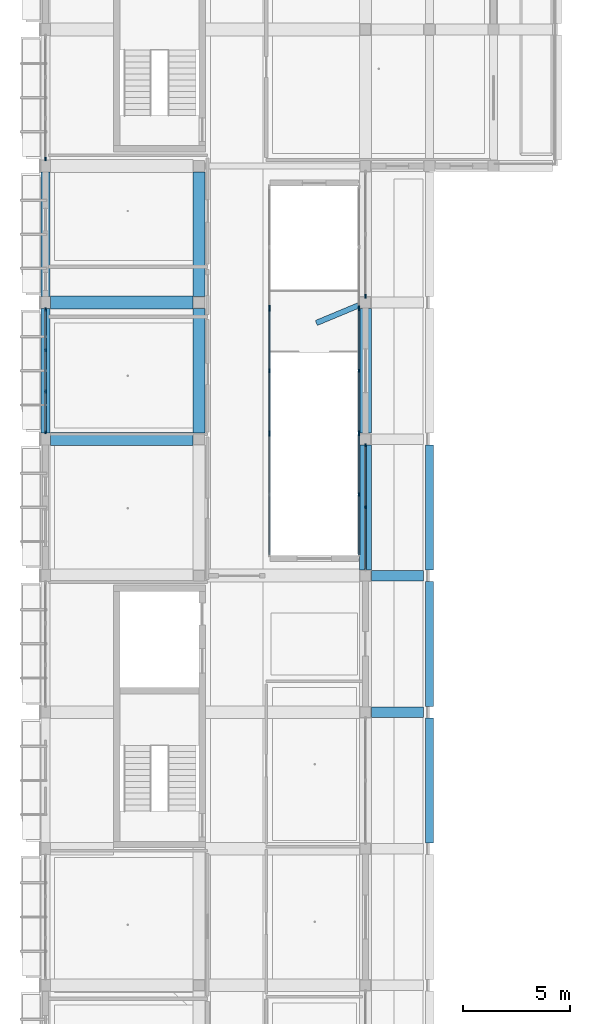
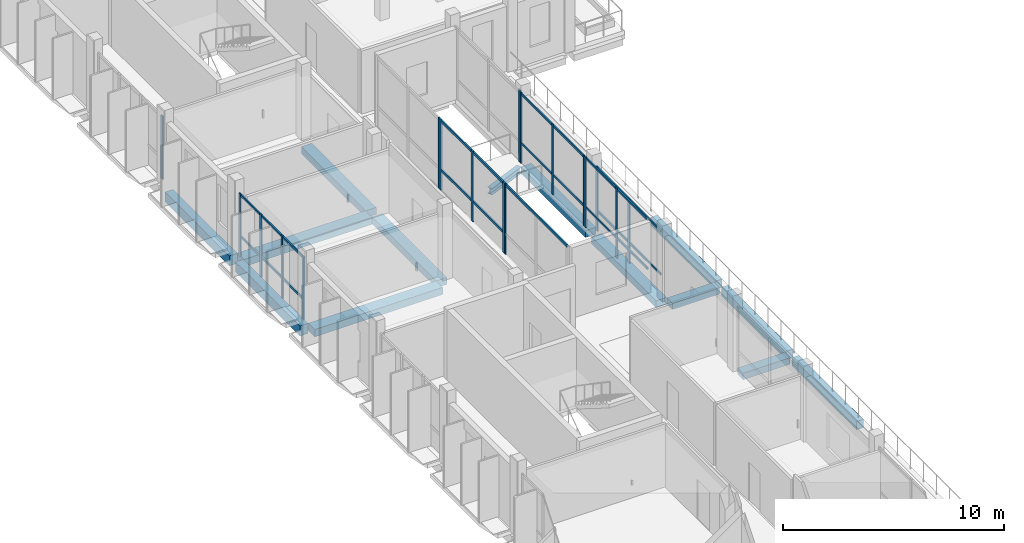
# One storey, part 8 of 85: 30 members, 14 beams, 10 elements without a shape of their own.
"""IFC4 building model written with IfcOpenShell, lengths in metres."""

from ifc_helpers import new_model, si_unit, derived_unit, direction, frame, origin, origin_2d, place, context, subcontext, project, spatial, rectangle, i_section, extrude, material, material_profile, profile_set, type_object, element, aggregate, save


model = new_model("IFC4")

# Units and contexts
model_context = context("Model", 3, precision=1e-05, world=origin(), true_north=direction((0.0, 1.0)))
body_context = subcontext(model_context, "Body", "Model", "MODEL_VIEW")
ifc_project = project(units=[si_unit("LENGTHUNIT", "METRE"), si_unit("AREAUNIT", "SQUARE_METRE"), si_unit("VOLUMEUNIT", "CUBIC_METRE"), si_unit("PLANEANGLEUNIT", "RADIAN"), si_unit("MASSUNIT", "GRAM", prefix="KILO"), derived_unit("THERMALTRANSMITTANCEUNIT", [(si_unit("POWERUNIT", "WATT"), 1), (si_unit("LENGTHUNIT", "METRE"), -2), (si_unit("THERMODYNAMICTEMPERATUREUNIT", "KELVIN"), -1)])], contexts=[model_context])

# Site, building, storey
site_placement = place(None, origin())
site = spatial("IfcSite", under=ifc_project, at=site_placement, CompositionType="ELEMENT")
building_placement = place(site_placement, origin())
building = spatial("IfcBuilding", under=site, at=building_placement, Name="Braskholm Square Health Centre", CompositionType="ELEMENT")
storey_placement = place(building_placement, frame((0.0, 0.0, 9.300048828125)))
storey = spatial("IfcBuildingStorey", under=building, at=storey_placement, Name="L03", CompositionType="ELEMENT", Elevation=9.300048828125)

# Curtain wall, members
ifc_material_1 = material(Name="Low-E triple insulating glass (VLT 0.64)", Category="glass")
curtain_wall_type_1 = type_object("IfcCurtainWallType", Name="UnitisedCurtainWall6200x3650", PredefinedType="NOTDEFINED", material=ifc_material_1)
curtain_wall_1_placement = place(storey_placement, origin())
curtain_wall_1 = element("IfcCurtainWall", 1, at=curtain_wall_1_placement, inside=storey, type_object=curtain_wall_type_1, Name="West Outer unitised curtain wall CW-L03-0016", PredefinedType="NOTDEFINED")
ifc_material_2 = material(Name="Architectural bronze anodised aluminium", Category="aluminium")
ifc_material_profile_1 = material_profile(ifc_material_2, rectangle(XDim=0.06494140625, YDim=0.14990234375, at=origin_2d()), Name="ALU-65X150")
ifc_profile_set_1 = profile_set([ifc_material_profile_1], Name="Architectural bronze anodised aluminium")
member_type_1 = type_object("IfcMemberType", Name="CurtainWallMullion65x150", PredefinedType="MULLION", material=ifc_profile_set_1)
member_1_placement = place(storey_placement, frame((4.199951171875, 42.275146484375, 0.0), z_axis=(0.0, 0.0, 1.0), x_axis=(1.0, 0.0, 0.0)))
member_1 = element("IfcMember", 2, at=member_1_placement, type_object=member_type_1, Name="CW-L03-0016 vertical mullion 1", PredefinedType="MULLION", context=body_context, shape_type="SweptSolid", body=[
    extrude(rectangle(XDim=0.06494140625, YDim=0.14990234375, at=origin_2d()), origin(), (0.0, 0.0, 1.0), 3.47998046875),
])
member_2_placement = place(storey_placement, frame((4.199951171875, 40.3701171875, 0.0), z_axis=(0.0, 0.0, 1.0), x_axis=(1.0, 0.0, 0.0)))
member_2 = element("IfcMember", 3, at=member_2_placement, type_object=member_type_1, Name="CW-L03-0016 vertical mullion 2", PredefinedType="MULLION", context=body_context, shape_type="SweptSolid", body=[
    extrude(rectangle(XDim=0.06494140625, YDim=0.14990234375, at=origin_2d()), origin(), (0.0, 0.0, 1.0), 3.47998046875),
])
member_3_placement = place(storey_placement, frame((4.199951171875, 38.429931640625, 0.0), z_axis=(0.0, 0.0, 1.0), x_axis=(1.0, 0.0, 0.0)))
member_3 = element("IfcMember", 4, at=member_3_placement, type_object=member_type_1, Name="CW-L03-0016 vertical mullion 3", PredefinedType="MULLION", context=body_context, shape_type="SweptSolid", body=[
    extrude(rectangle(XDim=0.06494140625, YDim=0.14990234375, at=origin_2d()), origin(), (0.0, 0.0, 1.0), 3.47998046875),
])
member_4_placement = place(storey_placement, frame((4.199951171875, 36.52490234375, 0.0), z_axis=(0.0, 0.0, 1.0), x_axis=(1.0, 0.0, 0.0)))
member_4 = element("IfcMember", 5, at=member_4_placement, type_object=member_type_1, Name="CW-L03-0016 vertical mullion 4", PredefinedType="MULLION", context=body_context, shape_type="SweptSolid", body=[
    extrude(rectangle(XDim=0.06494140625, YDim=0.14990234375, at=origin_2d()), origin(), (0.0, 0.0, 1.0), 3.47998046875),
])

curtain_wall_2_placement = place(storey_placement, origin())
curtain_wall_2 = element("IfcCurtainWall", 6, at=curtain_wall_2_placement, inside=storey, type_object=curtain_wall_type_1, Name="West Valley unitised curtain wall CW-L03-0092", PredefinedType="NOTDEFINED")
member_5_placement = place(storey_placement, frame((19.199951171875, 33.0, 0.0), z_axis=(0.0, 0.0, 1.0), x_axis=(1.0, 0.0, 0.0)))
member_5 = element("IfcMember", 7, at=member_5_placement, type_object=member_type_1, Name="CW-L03-0092 vertical mullion 2", PredefinedType="MULLION", context=body_context, shape_type="SweptSolid", body=[
    extrude(rectangle(XDim=0.06494140625, YDim=0.14990234375, at=origin_2d()), origin(), (0.0, 0.0, 1.0), 3.570068359375),
])
member_6_placement = place(storey_placement, frame((19.199951171875, 35.90478515625, 0.0), z_axis=(0.0, 0.0, 1.0), x_axis=(1.0, 0.0, 0.0)))
member_6 = element("IfcMember", 8, at=member_6_placement, type_object=member_type_1, Name="CW-L03-0092 vertical mullion 3", PredefinedType="MULLION", context=body_context, shape_type="SweptSolid", body=[
    extrude(rectangle(XDim=0.06494140625, YDim=0.14990234375, at=origin_2d()), origin(), (0.0, 0.0, 1.0), 3.570068359375),
])

curtain_wall_type_2 = type_object("IfcCurtainWallType", Name="UnitisedCurtainWall5400x3800", PredefinedType="NOTDEFINED", material=ifc_material_1)
curtain_wall_3_placement = place(storey_placement, origin())
curtain_wall_3 = element("IfcCurtainWall", 9, at=curtain_wall_3_placement, inside=storey, type_object=curtain_wall_type_2, Name="WC1 Court E unitised curtain wall CW-L03-0262", PredefinedType="NOTDEFINED")
member_7_placement = place(storey_placement, frame((18.89990234375, 36.427734375, 0.0), z_axis=(0.0, 0.0, 1.0), x_axis=(1.0, 0.0, 0.0)))
member_7 = element("IfcMember", 10, at=member_7_placement, type_object=member_type_1, Name="CW-L03-0262 vertical mullion 1", PredefinedType="MULLION", context=body_context, shape_type="SweptSolid", body=[
    extrude(rectangle(XDim=0.06494140625, YDim=0.14990234375, at=origin_2d()), origin(), (0.0, 0.0, 1.0), 3.89990234375),
])
member_8_placement = place(storey_placement, frame((18.89990234375, 33.60107421875, 0.0), z_axis=(0.0, 0.0, 1.0), x_axis=(1.0, 0.0, 0.0)))
member_8 = element("IfcMember", 11, at=member_8_placement, type_object=member_type_1, Name="CW-L03-0262 vertical mullion 2", PredefinedType="MULLION", context=body_context, shape_type="SweptSolid", body=[
    extrude(rectangle(XDim=0.06494140625, YDim=0.14990234375, at=origin_2d()), origin(), (0.0, 0.0, 1.0), 3.89990234375),
])

curtain_wall_type_3 = type_object("IfcCurtainWallType", Name="UnitisedCurtainWall6200x3800", PredefinedType="NOTDEFINED", material=ifc_material_1)
curtain_wall_4_placement = place(storey_placement, origin())
curtain_wall_4 = element("IfcCurtainWall", 12, at=curtain_wall_4_placement, inside=storey, type_object=curtain_wall_type_3, Name="WC1 Court E unitised curtain wall CW-L03-0264", PredefinedType="NOTDEFINED")
member_9_placement = place(storey_placement, frame((18.89990234375, 42.29296875, 0.0), z_axis=(0.0, 0.0, 1.0), x_axis=(1.0, 0.0, 0.0)))
member_9 = element("IfcMember", 13, at=member_9_placement, type_object=member_type_1, Name="CW-L03-0264 vertical mullion 1", PredefinedType="MULLION", context=body_context, shape_type="SweptSolid", body=[
    extrude(rectangle(XDim=0.06494140625, YDim=0.14990234375, at=origin_2d()), origin(), (0.0, 0.0, 1.0), 3.89990234375),
])
member_10_placement = place(storey_placement, frame((18.89990234375, 39.39990234375, 0.0), z_axis=(0.0, 0.0, 1.0), x_axis=(1.0, 0.0, 0.0)))
member_10 = element("IfcMember", 14, at=member_10_placement, type_object=member_type_1, Name="CW-L03-0264 vertical mullion 2", PredefinedType="MULLION", context=body_context, shape_type="SweptSolid", body=[
    extrude(rectangle(XDim=0.06494140625, YDim=0.14990234375, at=origin_2d()), origin(), (0.0, 0.0, 1.0), 3.89990234375),
])
member_11_placement = place(storey_placement, frame((18.89990234375, 36.507080078125, 0.0), z_axis=(0.0, 0.0, 1.0), x_axis=(1.0, 0.0, 0.0)))
member_11 = element("IfcMember", 15, at=member_11_placement, type_object=member_type_1, Name="CW-L03-0264 vertical mullion 3", PredefinedType="MULLION", context=body_context, shape_type="SweptSolid", body=[
    extrude(rectangle(XDim=0.06494140625, YDim=0.14990234375, at=origin_2d()), origin(), (0.0, 0.0, 1.0), 3.89990234375),
])

# Curtain wall, member
curtain_wall_5_placement = place(storey_placement, origin())
curtain_wall_5 = element("IfcCurtainWall", 16, at=curtain_wall_5_placement, inside=storey, type_object=curtain_wall_type_2, Name="WC1 Court E unitised curtain wall CW-L03-0266", PredefinedType="NOTDEFINED")
member_12_placement = place(storey_placement, frame((18.89990234375, 42.372314453125, 0.0), z_axis=(0.0, 0.0, 1.0), x_axis=(1.0, 0.0, 0.0)))
member_12 = element("IfcMember", 17, at=member_12_placement, type_object=member_type_1, Name="CW-L03-0266 vertical mullion 3", PredefinedType="MULLION", context=body_context, shape_type="SweptSolid", body=[
    extrude(rectangle(XDim=0.06494140625, YDim=0.14990234375, at=origin_2d()), origin(), (0.0, 0.0, 1.0), 3.89990234375),
])
aggregate(curtain_wall_5, [member_12])

curtain_wall_6_placement = place(storey_placement, origin())
curtain_wall_6 = element("IfcCurtainWall", 18, at=curtain_wall_6_placement, inside=storey, type_object=curtain_wall_type_1, Name="West Outer unitised curtain wall CW-L03-0017", PredefinedType="NOTDEFINED")
ifc_material_profile_2 = material_profile(ifc_material_2, rectangle(XDim=0.074951171875, YDim=0.179931640625, at=origin_2d()), Name="ALU-75X180")
ifc_profile_set_2 = profile_set([ifc_material_profile_2], Name="Architectural bronze anodised aluminium")
member_type_2 = type_object("IfcMemberType", Name="CurtainWallMullion75x180", PredefinedType="MULLION", material=ifc_profile_set_2)
member_13_placement = place(storey_placement, frame((4.199951171875, 49.324951171875, 0.0), z_axis=(0.0, 0.0, 1.0), x_axis=(1.0, 0.0, 0.0)))
member_13 = element("IfcMember", 19, at=member_13_placement, type_object=member_type_2, Name="CW-L03-0017 vertical mullion 4", PredefinedType="MULLION", context=body_context, shape_type="SweptSolid", body=[
    extrude(rectangle(XDim=0.074951171875, YDim=0.179931640625, at=origin_2d()), origin(), (0.0, 0.0, 1.0), 3.47998046875),
])
aggregate(curtain_wall_6, [member_13])

curtain_wall_7_placement = place(storey_placement, origin())
curtain_wall_7 = element("IfcCurtainWall", 20, at=curtain_wall_7_placement, inside=storey, type_object=curtain_wall_type_1, Name="West Valley unitised curtain wall CW-L03-0093", PredefinedType="NOTDEFINED")
member_14_placement = place(storey_placement, frame((19.199951171875, 42.895263671875, 0.0), z_axis=(0.0, 0.0, 1.0), x_axis=(1.0, 0.0, 0.0)))
member_14 = element("IfcMember", 21, at=member_14_placement, type_object=member_type_2, Name="CW-L03-0093 vertical mullion 1", PredefinedType="MULLION", context=body_context, shape_type="SweptSolid", body=[
    extrude(rectangle(XDim=0.074951171875, YDim=0.179931640625, at=origin_2d()), origin(), (0.0, 0.0, 1.0), 3.570068359375),
])
aggregate(curtain_wall_7, [member_14])

curtain_wall_8_placement = place(storey_placement, origin())
curtain_wall_8 = element("IfcCurtainWall", 22, at=curtain_wall_8_placement, inside=storey, type_object=curtain_wall_type_2, Name="WC1 Court W unitised curtain wall CW-L03-0261", PredefinedType="NOTDEFINED")
member_15_placement = place(storey_placement, frame((14.699951171875, 36.427734375, 0.0), z_axis=(0.0, 0.0, 1.0), x_axis=(1.0, 0.0, 0.0)))
member_15 = element("IfcMember", 23, at=member_15_placement, type_object=member_type_2, Name="CW-L03-0261 vertical mullion 3", PredefinedType="MULLION", context=body_context, shape_type="SweptSolid", body=[
    extrude(rectangle(XDim=0.074951171875, YDim=0.179931640625, at=origin_2d()), origin(), (0.0, 0.0, 1.0), 3.89990234375),
])

# Curtain wall, members
curtain_wall_9_placement = place(storey_placement, origin())
curtain_wall_9 = element("IfcCurtainWall", 24, at=curtain_wall_9_placement, inside=storey, type_object=curtain_wall_type_3, Name="WC1 Court W unitised curtain wall CW-L03-0263", PredefinedType="NOTDEFINED")
member_16_placement = place(storey_placement, frame((14.699951171875, 36.507080078125, 0.0), z_axis=(0.0, 0.0, 1.0), x_axis=(1.0, 0.0, 0.0)))
member_16 = element("IfcMember", 25, at=member_16_placement, type_object=member_type_2, Name="CW-L03-0263 vertical mullion 1", PredefinedType="MULLION", context=body_context, shape_type="SweptSolid", body=[
    extrude(rectangle(XDim=0.074951171875, YDim=0.179931640625, at=origin_2d()), origin(), (0.0, 0.0, 1.0), 3.89990234375),
])
member_17_placement = place(storey_placement, frame((14.699951171875, 39.39990234375, 0.0), z_axis=(0.0, 0.0, 1.0), x_axis=(1.0, 0.0, 0.0)))
member_17 = element("IfcMember", 26, at=member_17_placement, type_object=member_type_2, Name="CW-L03-0263 vertical mullion 2", PredefinedType="MULLION", context=body_context, shape_type="SweptSolid", body=[
    extrude(rectangle(XDim=0.074951171875, YDim=0.179931640625, at=origin_2d()), origin(), (0.0, 0.0, 1.0), 3.89990234375),
])
member_18_placement = place(storey_placement, frame((14.699951171875, 42.29296875, 0.0), z_axis=(0.0, 0.0, 1.0), x_axis=(1.0, 0.0, 0.0)))
member_18 = element("IfcMember", 27, at=member_18_placement, type_object=member_type_2, Name="CW-L03-0263 vertical mullion 3", PredefinedType="MULLION", context=body_context, shape_type="SweptSolid", body=[
    extrude(rectangle(XDim=0.074951171875, YDim=0.179931640625, at=origin_2d()), origin(), (0.0, 0.0, 1.0), 3.89990234375),
])

# Curtain wall, member
curtain_wall_10_placement = place(storey_placement, origin())
curtain_wall_10 = element("IfcCurtainWall", 28, at=curtain_wall_10_placement, inside=storey, type_object=curtain_wall_type_2, Name="WC1 Court W unitised curtain wall CW-L03-0265", PredefinedType="NOTDEFINED")
member_19_placement = place(storey_placement, frame((14.699951171875, 42.372314453125, 0.0), z_axis=(0.0, 0.0, 1.0), x_axis=(1.0, 0.0, 0.0)))
member_19 = element("IfcMember", 29, at=member_19_placement, type_object=member_type_2, Name="CW-L03-0265 vertical mullion 1", PredefinedType="MULLION", context=body_context, shape_type="SweptSolid", body=[
    extrude(rectangle(XDim=0.074951171875, YDim=0.179931640625, at=origin_2d()), origin(), (0.0, 0.0, 1.0), 3.89990234375),
])
aggregate(curtain_wall_10, [member_19])

# Member
ifc_material_profile_3 = material_profile(ifc_material_2, rectangle(XDim=0.06494140625, YDim=0.1201171875, at=origin_2d()), Name="ALU-65X120")
ifc_profile_set_3 = profile_set([ifc_material_profile_3], Name="Architectural bronze anodised aluminium")
member_type_3 = type_object("IfcMemberType", Name="CurtainWallTransom65x120", PredefinedType="USERDEFINED", material=ifc_profile_set_3)
member_20_placement = place(storey_placement, frame((4.199951171875, 42.264892578125, 1.119873046875), z_axis=(0.0, -1.0, 0.0), x_axis=(1.0, 0.0, 0.0)))
member_20 = element("IfcMember", 30, at=member_20_placement, type_object=member_type_3, Name="CW-L03-0016 horizontal transom 1", ObjectType="TRANSOM", PredefinedType="USERDEFINED", context=body_context, shape_type="SweptSolid", body=[
    extrude(rectangle(XDim=0.06494140625, YDim=0.1201171875, at=origin_2d()), origin(), (0.0, 0.0, 1.0), 5.72998046875),
])

member_21_placement = place(storey_placement, frame((4.199951171875, 42.264892578125, 3.409912109375), z_axis=(0.0, -1.0, 0.0), x_axis=(1.0, 0.0, 0.0)))
member_21 = element("IfcMember", 31, at=member_21_placement, type_object=member_type_3, Name="CW-L03-0016 horizontal transom 2", ObjectType="TRANSOM", PredefinedType="USERDEFINED", context=body_context, shape_type="SweptSolid", body=[
    extrude(rectangle(XDim=0.06494140625, YDim=0.1201171875, at=origin_2d()), origin(), (0.0, 0.0, 1.0), 5.72998046875),
])

aggregate(curtain_wall_1, [member_1, member_2, member_3, member_4, member_20, member_21])

member_22_placement = place(storey_placement, frame((19.199951171875, 30.10498046875, 1.119873046875), z_axis=(0.0, 1.0, 0.0), x_axis=(-1.0, 0.0, 0.0)))
member_22 = element("IfcMember", 32, at=member_22_placement, type_object=member_type_3, Name="CW-L03-0092 horizontal transom 1", ObjectType="TRANSOM", PredefinedType="USERDEFINED", context=body_context, shape_type="SweptSolid", body=[
    extrude(rectangle(XDim=0.06494140625, YDim=0.1201171875, at=origin_2d()), origin(), (0.0, 0.0, 1.0), 5.7900390625),
])

member_23_placement = place(storey_placement, frame((19.199951171875, 30.10498046875, 3.5), z_axis=(0.0, 1.0, 0.0), x_axis=(-1.0, 0.0, 0.0)))
member_23 = element("IfcMember", 33, at=member_23_placement, type_object=member_type_3, Name="CW-L03-0092 horizontal transom 2", ObjectType="TRANSOM", PredefinedType="USERDEFINED", context=body_context, shape_type="SweptSolid", body=[
    extrude(rectangle(XDim=0.06494140625, YDim=0.1201171875, at=origin_2d()), origin(), (0.0, 0.0, 1.0), 5.7900390625),
])

aggregate(curtain_wall_2, [member_5, member_6, member_22, member_23])

member_24_placement = place(storey_placement, frame((18.89990234375, 36.4169921875, 1.119873046875), z_axis=(0.0, -1.0, 0.0), x_axis=(1.0, 0.0, 0.0)))
member_24 = element("IfcMember", 34, at=member_24_placement, type_object=member_type_3, Name="CW-L03-0262 horizontal transom 1", ObjectType="TRANSOM", PredefinedType="USERDEFINED", context=body_context, shape_type="SweptSolid", body=[
    extrude(rectangle(XDim=0.06494140625, YDim=0.1201171875, at=origin_2d()), origin(), (0.0, 0.0, 1.0), 5.632080078125),
])

member_25_placement = place(storey_placement, frame((18.89990234375, 36.4169921875, 3.829833984375), z_axis=(0.0, -1.0, 0.0), x_axis=(1.0, 0.0, 0.0)))
member_25 = element("IfcMember", 35, at=member_25_placement, type_object=member_type_3, Name="CW-L03-0262 horizontal transom 2", ObjectType="TRANSOM", PredefinedType="USERDEFINED", context=body_context, shape_type="SweptSolid", body=[
    extrude(rectangle(XDim=0.06494140625, YDim=0.1201171875, at=origin_2d()), origin(), (0.0, 0.0, 1.0), 5.632080078125),
])

aggregate(curtain_wall_3, [member_7, member_8, member_24, member_25])

member_26_placement = place(storey_placement, frame((18.89990234375, 42.282958984375, 1.119873046875), z_axis=(0.0, -1.0, 0.0), x_axis=(1.0, 0.0, 0.0)))
member_26 = element("IfcMember", 36, at=member_26_placement, type_object=member_type_3, Name="CW-L03-0264 horizontal transom 1", ObjectType="TRANSOM", PredefinedType="USERDEFINED", context=body_context, shape_type="SweptSolid", body=[
    extrude(rectangle(XDim=0.06494140625, YDim=0.1201171875, at=origin_2d()), origin(), (0.0, 0.0, 1.0), 5.765869140625),
])

member_27_placement = place(storey_placement, frame((18.89990234375, 42.282958984375, 3.829833984375), z_axis=(0.0, -1.0, 0.0), x_axis=(1.0, 0.0, 0.0)))
member_27 = element("IfcMember", 37, at=member_27_placement, type_object=member_type_3, Name="CW-L03-0264 horizontal transom 2", ObjectType="TRANSOM", PredefinedType="USERDEFINED", context=body_context, shape_type="SweptSolid", body=[
    extrude(rectangle(XDim=0.06494140625, YDim=0.1201171875, at=origin_2d()), origin(), (0.0, 0.0, 1.0), 5.765869140625),
])

aggregate(curtain_wall_4, [member_9, member_10, member_11, member_26, member_27])

ifc_material_profile_4 = material_profile(ifc_material_2, rectangle(XDim=0.074951171875, YDim=0.139892578125, at=origin_2d()), Name="ALU-75X140")
ifc_profile_set_4 = profile_set([ifc_material_profile_4], Name="Architectural bronze anodised aluminium")
member_type_4 = type_object("IfcMemberType", Name="CurtainWallTransom75x140", PredefinedType="USERDEFINED", material=ifc_profile_set_4)
member_28_placement = place(storey_placement, frame((14.699951171875, 30.784912109375, 3.829833984375), z_axis=(0.0, 1.0, 0.0), x_axis=(-1.0, 0.0, 0.0)))
member_28 = element("IfcMember", 38, at=member_28_placement, type_object=member_type_4, Name="CW-L03-0261 horizontal transom 2", ObjectType="TRANSOM", PredefinedType="USERDEFINED", context=body_context, shape_type="SweptSolid", body=[
    extrude(rectangle(XDim=0.074951171875, YDim=0.139892578125, at=origin_2d()), origin(), (0.0, 0.0, 1.0), 5.632080078125),
])

aggregate(curtain_wall_8, [member_15, member_28])

member_29_placement = place(storey_placement, frame((14.699951171875, 36.51708984375, 1.119873046875), z_axis=(0.0, 1.0, 0.0), x_axis=(-1.0, 0.0, 0.0)))
member_29 = element("IfcMember", 39, at=member_29_placement, type_object=member_type_4, Name="CW-L03-0263 horizontal transom 1", ObjectType="TRANSOM", PredefinedType="USERDEFINED", context=body_context, shape_type="SweptSolid", body=[
    extrude(rectangle(XDim=0.074951171875, YDim=0.139892578125, at=origin_2d()), origin(), (0.0, 0.0, 1.0), 5.765869140625),
])

member_30_placement = place(storey_placement, frame((14.699951171875, 36.51708984375, 3.829833984375), z_axis=(0.0, 1.0, 0.0), x_axis=(-1.0, 0.0, 0.0)))
member_30 = element("IfcMember", 40, at=member_30_placement, type_object=member_type_4, Name="CW-L03-0263 horizontal transom 2", ObjectType="TRANSOM", PredefinedType="USERDEFINED", context=body_context, shape_type="SweptSolid", body=[
    extrude(rectangle(XDim=0.074951171875, YDim=0.139892578125, at=origin_2d()), origin(), (0.0, 0.0, 1.0), 5.765869140625),
])

aggregate(curtain_wall_9, [member_16, member_17, member_18, member_29, member_30])

# Beams
ifc_material_3 = material(Name="Concrete C35/45 (f'c = 35 MPa)", Category="concrete")
ifc_material_profile_5 = material_profile(ifc_material_3, rectangle(XDim=0.5, YDim=0.360107421875, at=origin_2d()), Name="RCB-500X360")
ifc_profile_set_5 = profile_set([ifc_material_profile_5], Name="Concrete C35/45 (f'c = 35 MPa)")
beam_type_1 = type_object("IfcBeamType", Name="PrimaryBandBeam500x360", PredefinedType="BEAM", material=ifc_profile_set_5)
for number, where, z_axis, x_axis, name in (
    (41, (19.47509765625, 23.39990234375, -0.429931640625), (1.0, 0.0, 0.0), (0.0, 1.0, 0.0), "Beam 3-4/D L03"),
    (42, (19.47509765625, 29.800048828125, -0.429931640625), (1.0, 0.0, 0.0), (0.0, 1.0, 0.0), "Beam 3-4/E L03"),
):
    element("IfcBeam", number, at=place(storey_placement, frame(where, z_axis=z_axis, x_axis=x_axis)), inside=storey, type_object=beam_type_1, Name=name, PredefinedType="BEAM", context=body_context, shape_type="SweptSolid", body=[
        extrude(rectangle(XDim=0.5, YDim=0.360107421875, at=origin_2d()), origin(), (0.0, 0.0, 1.0), 2.449951171875),
    ])
ifc_material_profile_6 = material_profile(ifc_material_3, rectangle(XDim=0.550048828125, YDim=0.3798828125, at=origin_2d()), Name="RCB-550X380")
ifc_profile_set_6 = profile_set([ifc_material_profile_6], Name="Concrete C35/45 (f'c = 35 MPa)")
beam_type_2 = type_object("IfcBeamType", Name="PrimaryBandBeam550x380", PredefinedType="BEAM", material=ifc_profile_set_6)
beam_1_placement = place(storey_placement, frame((11.39990234375, 36.47509765625, -0.489990234375), z_axis=(0.0, 1.0, 0.0), x_axis=(-1.0, 0.0, 0.0)))
element("IfcBeam", 43, at=beam_1_placement, inside=storey, type_object=beam_type_2, Name="Beam 2/F-G L03", PredefinedType="BEAM", context=body_context, shape_type="SweptSolid", body=[
    extrude(rectangle(XDim=0.550048828125, YDim=0.3798828125, at=origin_2d()), origin(), (0.0, 0.0, 1.0), 5.849853515625),
])
for number, where, z_axis, x_axis, name in (
    (44, (11.39990234375, 42.875, -0.489990234375), (0.0, 1.0, 0.0), (-1.0, 0.0, 0.0), "Beam 2/G-H L03"),
    (45, (19.199951171875, 30.074951171875, -0.43994140625), (0.0, 1.0, 0.0), (-1.0, 0.0, 0.0), "Beam 3/E-F L03"),
):
    element("IfcBeam", number, at=place(storey_placement, frame(where, z_axis=z_axis, x_axis=x_axis)), inside=storey, type_object=beam_type_2, Name=name, PredefinedType="BEAM", context=body_context, shape_type="SweptSolid", body=[
        extrude(rectangle(XDim=0.550048828125, YDim=0.3798828125, at=origin_2d()), origin(), (0.0, 0.0, 1.0), 5.85009765625),
    ])
beam_2_placement = place(storey_placement, frame((19.199951171875, 36.47509765625, -0.43994140625), z_axis=(0.0, 1.0, 0.0), x_axis=(-1.0, 0.0, 0.0)))
element("IfcBeam", 46, at=beam_2_placement, inside=storey, type_object=beam_type_2, Name="Beam 3/F-G L03", PredefinedType="BEAM", context=body_context, shape_type="SweptSolid", body=[
    extrude(rectangle(XDim=0.550048828125, YDim=0.3798828125, at=origin_2d()), origin(), (0.0, 0.0, 1.0), 5.849853515625),
])
ifc_material_profile_7 = material_profile(ifc_material_3, rectangle(XDim=0.60009765625, YDim=0.39990234375, at=origin_2d()), Name="RCB-600X400")
ifc_profile_set_7 = profile_set([ifc_material_profile_7], Name="Concrete C35/45 (f'c = 35 MPa)")
beam_type_3 = type_object("IfcBeamType", Name="PrimaryBandBeam600x400", PredefinedType="BEAM", material=ifc_profile_set_7)
for number, where, z_axis, x_axis, name in (
    (47, (4.429931640625, 36.199951171875, -0.5), (1.0, 0.0, 0.0), (0.0, 1.0, 0.0), "Beam 1-2/F L03"),
    (48, (4.429931640625, 42.60009765625, -0.5), (1.0, 0.0, 0.0), (0.0, 1.0, 0.0), "Beam 1-2/G L03"),
):
    element("IfcBeam", number, at=place(storey_placement, frame(where, z_axis=z_axis, x_axis=x_axis)), inside=storey, type_object=beam_type_3, Name=name, PredefinedType="BEAM", context=body_context, shape_type="SweptSolid", body=[
        extrude(rectangle(XDim=0.60009765625, YDim=0.39990234375, at=origin_2d()), origin(), (0.0, 0.0, 1.0), 6.695068359375),
    ])
ifc_material_4 = material(Name="Precast concrete C40/50 architectural white", Category="concrete")
ifc_material_profile_8 = material_profile(ifc_material_4, rectangle(XDim=0.419921875, YDim=0.550048828125, at=origin_2d()), Name="RCB-420X550")
ifc_profile_set_8 = profile_set([ifc_material_profile_8], Name="Precast concrete C40/50 architectural white")
beam_type_4 = type_object("IfcBeamType", Name="SpandrelPrecastLedge420x550", PredefinedType="SPANDREL", material=ifc_profile_set_8)
for number, where, z_axis, x_axis, name in (
    (49, (4.199951171875, 36.47998046875, -0.574951171875), (0.0, 1.0, 0.0), (-1.0, 0.0, 0.0), "Beam 1/F-G L03"),
    (50, (4.199951171875, 42.8798828125, -0.574951171875), (0.0, 1.0, 0.0), (-1.0, 0.0, 0.0), "Beam 1/G-H L03"),
):
    element("IfcBeam", number, at=place(storey_placement, frame(where, z_axis=z_axis, x_axis=x_axis)), inside=storey, type_object=beam_type_4, Name=name, PredefinedType="SPANDREL", context=body_context, shape_type="SweptSolid", body=[
        extrude(rectangle(XDim=0.419921875, YDim=0.550048828125, at=origin_2d()), origin(), (0.0, 0.0, 1.0), 5.840087890625),
    ])
ifc_material_profile_9 = material_profile(ifc_material_4, rectangle(XDim=0.360107421875, YDim=0.4599609375, at=origin_2d()), Name="RCB-360X460")
ifc_profile_set_9 = profile_set([ifc_material_profile_9], Name="Precast concrete C40/50 architectural white")
beam_type_5 = type_object("IfcBeamType", Name="SpandrelTerraceEdge360x460", PredefinedType="SPANDREL", material=ifc_profile_set_9)
beam_3_placement = place(storey_placement, frame((22.199951171875, 17.27490234375, -0.47998046875), z_axis=(0.0, 1.0, 0.0), x_axis=(-1.0, 0.0, 0.0)))
element("IfcBeam", 51, at=beam_3_placement, inside=storey, type_object=beam_type_5, Name="Beam 4/C-D L03", PredefinedType="SPANDREL", context=body_context, shape_type="SweptSolid", body=[
    extrude(rectangle(XDim=0.360107421875, YDim=0.4599609375, at=origin_2d()), origin(), (0.0, 0.0, 1.0), 5.85009765625),
])
beam_4_placement = place(storey_placement, frame((22.199951171875, 23.675048828125, -0.47998046875), z_axis=(0.0, 1.0, 0.0), x_axis=(-1.0, 0.0, 0.0)))
element("IfcBeam", 52, at=beam_4_placement, inside=storey, type_object=beam_type_5, Name="Beam 4/D-E L03", PredefinedType="SPANDREL", context=body_context, shape_type="SweptSolid", body=[
    extrude(rectangle(XDim=0.360107421875, YDim=0.4599609375, at=origin_2d()), origin(), (0.0, 0.0, 1.0), 5.849853515625),
])
beam_5_placement = place(storey_placement, frame((22.199951171875, 30.074951171875, -0.47998046875), z_axis=(0.0, 1.0, 0.0), x_axis=(-1.0, 0.0, 0.0)))
element("IfcBeam", 53, at=beam_5_placement, inside=storey, type_object=beam_type_5, Name="Beam 4/E-F L03", PredefinedType="SPANDREL", context=body_context, shape_type="SweptSolid", body=[
    extrude(rectangle(XDim=0.360107421875, YDim=0.4599609375, at=origin_2d()), origin(), (0.0, 0.0, 1.0), 5.85009765625),
])
ifc_material_5 = material(Name="Steel ASTM A992 Grade 50", Category="steel")
ifc_material_profile_10 = material_profile(ifc_material_5, i_section(OverallWidth=0.2548828125, OverallDepth=0.35693359375, WebThickness=0.010498046875, FlangeThickness=0.018310546875, at=origin_2d()), Name="W14X68")
ifc_profile_set_10 = profile_set([ifc_material_profile_10], Name="Steel ASTM A992 Grade 50")
beam_type_6 = type_object("IfcBeamType", Name="SteelBeamCanopyW14X68", PredefinedType="BEAM", material=ifc_profile_set_10)
beam_6_placement = place(storey_placement, frame((16.89990234375, 41.6416015625, -0.478515625), z_axis=(0.923083502119, 0.384599594535, 0.0), x_axis=(-0.384599594535, 0.923083502119, 0.0)))
element("IfcBeam", 54, at=beam_6_placement, inside=storey, type_object=beam_type_6, Name="Tie beam CS3C L03", PredefinedType="BEAM", context=body_context, shape_type="SweptSolid", body=[
    extrude(i_section(OverallWidth=0.2548828125, OverallDepth=0.35693359375, WebThickness=0.010498046875, FlangeThickness=0.018310546875, at=origin_2d()), origin(), (0.0, 0.0, 1.0), 2.19580078125),
])

save(model, "model.ifc")
